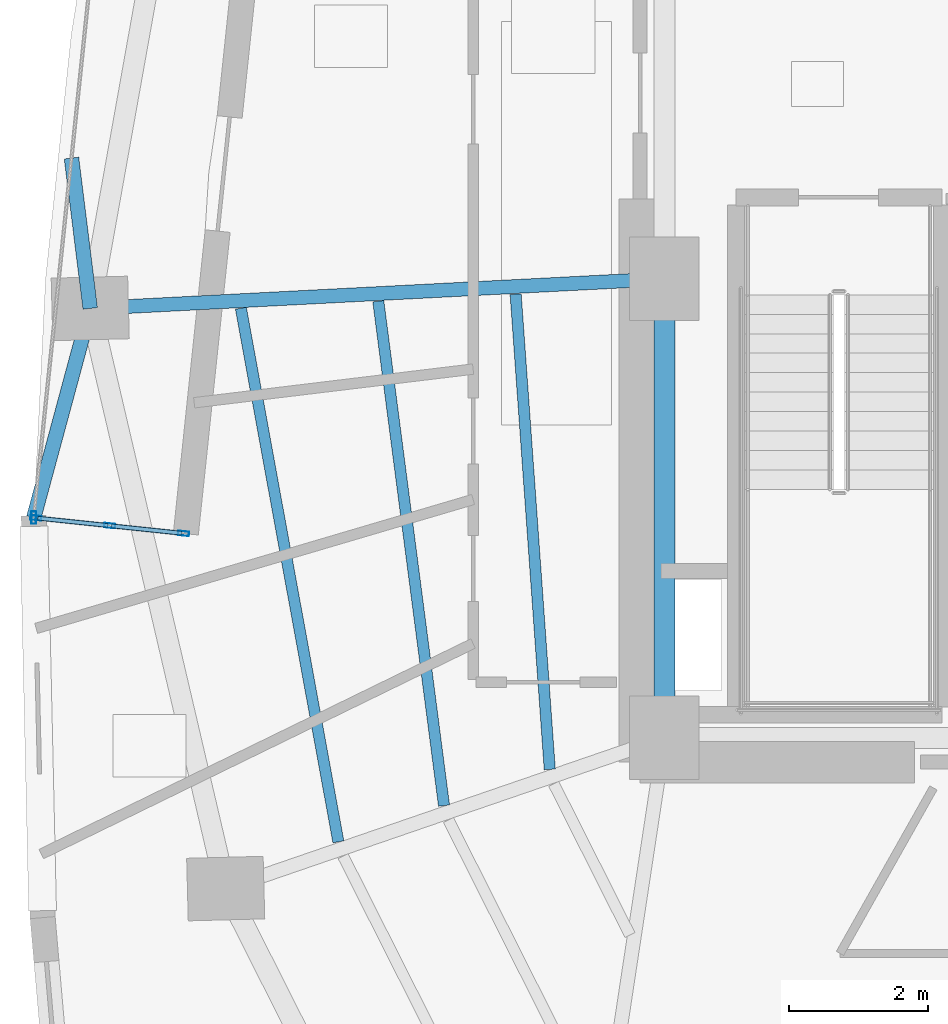
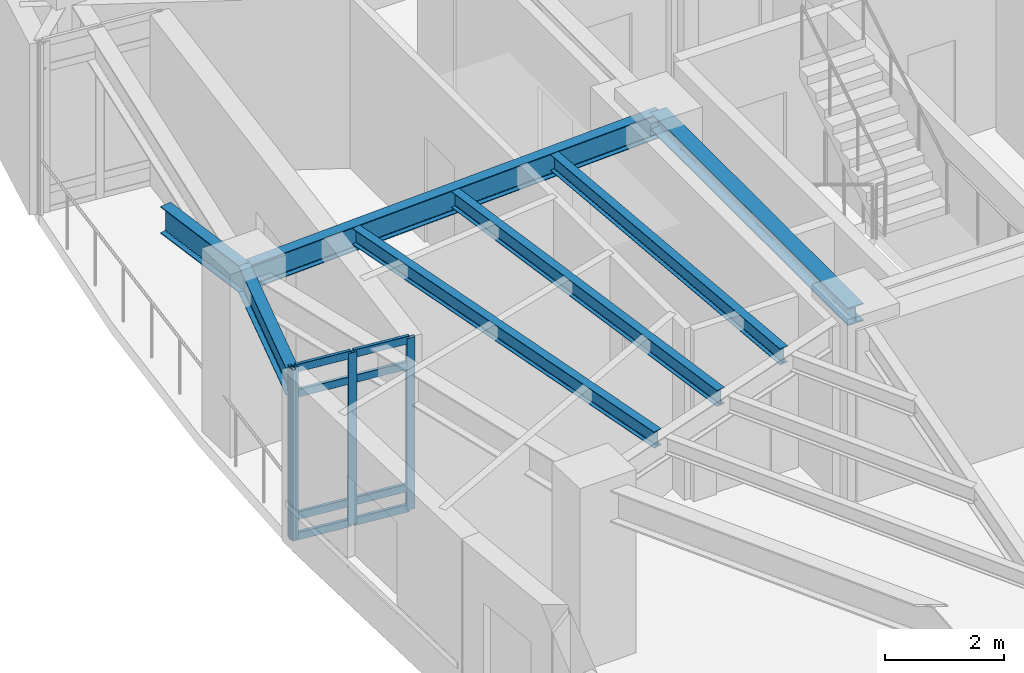
# One storey, part 2 of 12: 12 members, 7 beams, 1 element without a shape of its own.
"""IFC4 building model written with IfcOpenShell, lengths in metres."""

from ifc_helpers import new_model, si_unit, direction, frame, origin, origin_2d, place, context, subcontext, project, spatial, hollow_rectangle, i_section, extrude, material, layer, layer_set, material_profile, profile_set, type_object, element, aggregate, save


model = new_model("IFC4")

# Units and contexts
model_context = context("Model", 3, precision=1e-05, world=origin(), true_north=direction((0.0, 1.0)))
body_context = subcontext(model_context, "Body", "Model", "MODEL_VIEW")
ifc_project = project(units=[si_unit("LENGTHUNIT", "METRE"), si_unit("AREAUNIT", "SQUARE_METRE"), si_unit("VOLUMEUNIT", "CUBIC_METRE"), si_unit("PLANEANGLEUNIT", "RADIAN"), si_unit("MASSUNIT", "GRAM", prefix="KILO")], contexts=[model_context])

# Site, building, storey
site_placement = place(None, origin())
site = spatial("IfcSite", under=ifc_project, at=site_placement, CompositionType="ELEMENT")
building_placement = place(site_placement, origin())
building = spatial("IfcBuilding", under=site, at=building_placement, Name="Ndelora Gate Hotel", CompositionType="ELEMENT")
storey_placement = place(building_placement, frame((0.0, 0.0, 101.0)))
storey = spatial("IfcBuildingStorey", under=building, at=storey_placement, Name="L24", CompositionType="ELEMENT", Elevation=101.0)

# Beams
ifc_material_1 = material(Name="Steel S355", Category="steel")
ifc_material_profile_1 = material_profile(ifc_material_1, i_section(OverallWidth=0.300048828125, OverallDepth=0.360107421875, WebThickness=0.012451171875, FlangeThickness=0.0224609375, FilletRadius=0.027099609375, at=origin_2d()), Name="HEB 360")
ifc_profile_set_1 = profile_set([ifc_material_profile_1], Name="Steel S355")
beam_type_1 = type_object("IfcBeamType", Name="BM-CORE-360", PredefinedType="BEAM", material=ifc_profile_set_1)
beam_1_placement = place(storey_placement, frame((-8.0, -6.60009765625, 3.320068359375), z_axis=(0.0, 1.0, 0.0), x_axis=(-1.0, 0.0, 0.0)))
element("IfcBeam", 1, at=beam_1_placement, inside=storey, type_object=beam_type_1, Name="L24 Core Tie Girder CC1-CC8", PredefinedType="BEAM", context=body_context, shape_type="SweptSolid", body=[
    extrude(i_section(OverallWidth=0.300048828125, OverallDepth=0.360107421875, WebThickness=0.012451171875, FlangeThickness=0.0224609375, FilletRadius=0.027099609375, at=origin_2d()), origin(), (0.0, 0.0, 1.0), 6.60009765625),
])
ifc_material_profile_2 = material_profile(ifc_material_1, i_section(OverallWidth=0.159912109375, OverallDepth=0.330078125, WebThickness=0.007568359375, FlangeThickness=0.011474609375, FilletRadius=0.01806640625, at=origin_2d()), Name="IPE 330")
ifc_profile_set_2 = profile_set([ifc_material_profile_2], Name="Steel S355")
beam_type_2 = type_object("IfcBeamType", Name="BM-JST-330", PredefinedType="JOIST", material=ifc_profile_set_2)
beam_2_placement = place(storey_placement, frame((-10.138427734375, -0.220458984375, 3.3349609375), z_axis=(0.07162945927, -0.997431311201, 0.0), x_axis=(0.997431311201, 0.07162945927, 0.0)))
element("IfcBeam", 2, at=beam_2_placement, inside=storey, type_object=beam_type_2, Name="L24 Secondary Composite Floor Joist IN-3", PredefinedType="JOIST", context=body_context, shape_type="SweptSolid", body=[
    extrude(i_section(OverallWidth=0.159912109375, OverallDepth=0.330078125, WebThickness=0.007568359375, FlangeThickness=0.011474609375, FilletRadius=0.01806640625, at=origin_2d()), origin(), (0.0, 0.0, 1.0), 6.850830078125),
])
beam_3_placement = place(storey_placement, frame((-12.113525390625, -0.322021484375, 3.3349609375), z_axis=(0.12927924943, -0.991608226906, 0.0), x_axis=(0.991608226906, 0.12927924943, 0.0)))
element("IfcBeam", 3, at=beam_3_placement, inside=storey, type_object=beam_type_2, Name="L24 Secondary Composite Floor Joist MID-3", PredefinedType="JOIST", context=body_context, shape_type="SweptSolid", body=[
    extrude(i_section(OverallWidth=0.159912109375, OverallDepth=0.330078125, WebThickness=0.007568359375, FlangeThickness=0.011474609375, FilletRadius=0.01806640625, at=origin_2d()), origin(), (0.0, 0.0, 1.0), 7.31396484375),
])
beam_4_placement = place(storey_placement, frame((-14.089111328125, -0.423095703125, 3.3349609375), z_axis=(0.179733770179, -0.983715290039, 0.0), x_axis=(0.983715290039, 0.179733770179, 0.0)))
element("IfcBeam", 4, at=beam_4_placement, inside=storey, type_object=beam_type_2, Name="L24 Secondary Composite Floor Joist OUT-3", PredefinedType="JOIST", context=body_context, shape_type="SweptSolid", body=[
    extrude(i_section(OverallWidth=0.159912109375, OverallDepth=0.330078125, WebThickness=0.007568359375, FlangeThickness=0.011474609375, FilletRadius=0.01806640625, at=origin_2d()), origin(), (0.0, 0.0, 1.0), 7.799560546875),
])
ifc_material_profile_3 = material_profile(ifc_material_1, i_section(OverallWidth=0.199951171875, OverallDepth=0.5, WebThickness=0.01025390625, FlangeThickness=0.01611328125, FilletRadius=0.02099609375, at=origin_2d()), Name="IPE 500")
ifc_profile_set_3 = profile_set([ifc_material_profile_3], Name="Steel S355")
beam_type_3 = type_object("IfcBeamType", Name="BM-RAD-500", PredefinedType="BEAM", material=ifc_profile_set_3)
beam_5_placement = place(storey_placement, frame((-8.0, 0.0, 3.25), z_axis=(-0.998672591881, -0.051507807424, 0.0), x_axis=(0.051507807424, -0.998672591881, 0.0)))
element("IfcBeam", 5, at=beam_5_placement, inside=storey, type_object=beam_type_3, Name="L24 Radial Floor Girder 3", PredefinedType="BEAM", context=body_context, shape_type="SweptSolid", body=[
    extrude(i_section(OverallWidth=0.199951171875, OverallDepth=0.5, WebThickness=0.01025390625, FlangeThickness=0.01611328125, FilletRadius=0.02099609375, at=origin_2d()), origin(), (0.0, 0.0, 1.0), 8.266357421875),
])
ifc_material_profile_4 = material_profile(ifc_material_1, i_section(OverallWidth=0.2099609375, OverallDepth=0.550048828125, WebThickness=0.010986328125, FlangeThickness=0.01708984375, FilletRadius=0.02392578125, at=origin_2d()), Name="IPE 550")
ifc_profile_set_4 = profile_set([ifc_material_profile_4], Name="Steel S355")
beam_type_4 = type_object("IfcBeamType", Name="BM-RAD-550", PredefinedType="BEAM", material=ifc_profile_set_4)
beam_6_placement = place(storey_placement, frame((-16.25537109375, -0.42578125, 3.22509765625), z_axis=(-0.123565930273, 0.992336364786, 0.0), x_axis=(-0.992336364786, -0.123565930273, 0.0)))
element("IfcBeam", 6, at=beam_6_placement, inside=storey, type_object=beam_type_4, Name="L24 Sky-Garden Loggia Column Bracket 2", PredefinedType="BEAM", context=body_context, shape_type="SweptSolid", body=[
    extrude(i_section(OverallWidth=0.2099609375, OverallDepth=0.550048828125, WebThickness=0.010986328125, FlangeThickness=0.01708984375, FilletRadius=0.02392578125, at=origin_2d()), origin(), (0.0, 0.0, 1.0), 2.17919921875),
])
beam_7_placement = place(storey_placement, frame((-16.25537109375, -0.42578125, 3.22509765625), z_axis=(-0.260757109585, -0.965404438461, 0.0), x_axis=(0.965404438461, -0.260757109585, 0.0)))
element("IfcBeam", 7, at=beam_7_placement, inside=storey, type_object=beam_type_4, Name="L24 Sky-Garden Loggia Column Bracket 3", PredefinedType="BEAM", context=body_context, shape_type="SweptSolid", body=[
    extrude(i_section(OverallWidth=0.2099609375, OverallDepth=0.550048828125, WebThickness=0.010986328125, FlangeThickness=0.01708984375, FilletRadius=0.02392578125, at=origin_2d()), origin(), (0.0, 0.0, 1.0), 3.116943359375),
])

# Curtain wall, members
ifc_material_2 = material(Name="Bronze Anodised Unitised Aluminium and Low-E Glass", Category="aluminium")
ifc_layer = layer(ifc_material_2, 0.199951171875)
ifc_layer_set = layer_set([ifc_layer], Name="Bronze Anodised Unitised Aluminium and Low-E Glass")
curtain_wall_type = type_object("IfcCurtainWallType", Name="CW-SYS-3", PredefinedType="NOTDEFINED", material=ifc_layer_set)
curtain_wall_placement = place(storey_placement, origin())
curtain_wall = element("IfcCurtainWall", 8, at=curtain_wall_placement, inside=storey, type_object=curtain_wall_type, Name="L24 Sky-Garden Loggia Side Curtain Wall CW3-2", PredefinedType="NOTDEFINED")
ifc_material_3 = material(Name="Bronze Anodised Aluminium 6063-T6", Category="aluminium")
ifc_material_profile_5 = material_profile(ifc_material_3, hollow_rectangle(XDim=0.06494140625, YDim=0.159912109375, WallThickness=0.00390625, InnerFilletRadius=0.00390625, OuterFilletRadius=0.008056640625, at=origin_2d()), Name="ALU 160x65x4")
ifc_profile_set_5 = profile_set([ifc_material_profile_5], Name="Bronze Anodised Aluminium 6063-T6")
member_type_1 = type_object("IfcMemberType", Name="MB-CW-MUL150", PredefinedType="MULLION", material=ifc_profile_set_5)
member_1_placement = place(storey_placement, frame((-17.035888671875, -3.43798828125, -0.00390625), z_axis=(0.0, 0.0, 1.0), x_axis=(0.104547545416, 0.994519889569, 0.0)))
member_1 = element("IfcMember", 9, at=member_1_placement, type_object=member_type_1, Name="CW3 mullion 1", PredefinedType="MULLION", context=body_context, shape_type="SweptSolid", body=[
    extrude(hollow_rectangle(XDim=0.06494140625, YDim=0.159912109375, WallThickness=0.00390625, InnerFilletRadius=0.00390625, OuterFilletRadius=0.008056640625, at=origin_2d()), origin(), (0.0, 0.0, 1.0), 3.5078125),
])
member_2_placement = place(storey_placement, frame((-15.97412109375, -3.5498046875, -0.00390625), z_axis=(0.0, 0.0, 1.0), x_axis=(0.104547545416, 0.994519889569, 0.0)))
member_2 = element("IfcMember", 10, at=member_2_placement, type_object=member_type_1, Name="CW3 mullion 2", PredefinedType="MULLION", context=body_context, shape_type="SweptSolid", body=[
    extrude(hollow_rectangle(XDim=0.06494140625, YDim=0.159912109375, WallThickness=0.00390625, InnerFilletRadius=0.00390625, OuterFilletRadius=0.008056640625, at=origin_2d()), origin(), (0.0, 0.0, 1.0), 3.5078125),
])
member_3_placement = place(storey_placement, frame((-14.91259765625, -3.661376953125, -0.00390625), z_axis=(0.0, 0.0, 1.0), x_axis=(0.104547545416, 0.994519889569, 0.0)))
member_3 = element("IfcMember", 11, at=member_3_placement, type_object=member_type_1, Name="CW3 mullion 3", PredefinedType="MULLION", context=body_context, shape_type="SweptSolid", body=[
    extrude(hollow_rectangle(XDim=0.06494140625, YDim=0.159912109375, WallThickness=0.00390625, InnerFilletRadius=0.00390625, OuterFilletRadius=0.008056640625, at=origin_2d()), origin(), (0.0, 0.0, 1.0), 3.5078125),
])
ifc_material_profile_6 = material_profile(ifc_material_3, hollow_rectangle(XDim=0.070068359375, YDim=0.179931640625, WallThickness=0.0048828125, InnerFilletRadius=0.0048828125, OuterFilletRadius=0.010009765625, at=origin_2d()), Name="ALU 180x70x5")
ifc_profile_set_6 = profile_set([ifc_material_profile_6], Name="Bronze Anodised Aluminium 6063-T6")
member_type_2 = type_object("IfcMemberType", Name="MB-CW-MUL180", PredefinedType="MULLION", material=ifc_profile_set_6)
member_4_placement = place(storey_placement, frame((-17.068115234375, -3.434814453125, 0.0), z_axis=(0.0, 0.0, 1.0), x_axis=(1.0, 0.0, 0.0)))
member_4 = element("IfcMember", 12, at=member_4_placement, type_object=member_type_2, Name="L24 Sky-Garden Loggia Corner Mullion Post 2", PredefinedType="MULLION", context=body_context, shape_type="SweptSolid", body=[
    extrude(hollow_rectangle(XDim=0.070068359375, YDim=0.179931640625, WallThickness=0.0048828125, InnerFilletRadius=0.0048828125, OuterFilletRadius=0.010009765625, at=origin_2d()), origin(), (0.0, 0.0, 1.0), 3.5),
])
ifc_material_profile_7 = material_profile(ifc_material_3, hollow_rectangle(XDim=0.06494140625, YDim=0.159912109375, WallThickness=0.00390625, InnerFilletRadius=0.00390625, OuterFilletRadius=0.008056640625, at=origin_2d()), Name="ALU 160x65x4")
ifc_profile_set_7 = profile_set([ifc_material_profile_7], Name="Bronze Anodised Aluminium 6063-T6")
member_type_3 = type_object("IfcMemberType", Name="MB-CW-TRN150", PredefinedType="USERDEFINED", material=ifc_profile_set_7)
member_5_placement = place(storey_placement, frame((-17.009521484375, -3.44091796875, 0.032470703125), z_axis=(0.994531791991, -0.104434260277, 0.0), x_axis=(0.104434260277, 0.994531791991, 0.0)))
member_5 = element("IfcMember", 13, at=member_5_placement, type_object=member_type_3, Name="CW3 transom 1.1", ObjectType="TRANSOM", PredefinedType="USERDEFINED", context=body_context, shape_type="SweptSolid", body=[
    extrude(hollow_rectangle(XDim=0.06494140625, YDim=0.159912109375, WallThickness=0.00390625, InnerFilletRadius=0.00390625, OuterFilletRadius=0.008056640625, at=origin_2d()), origin(), (0.0, 0.0, 1.0), 1.0146484375),
])
member_6_placement = place(storey_placement, frame((-17.009521484375, -3.44091796875, 0.449951171875), z_axis=(0.994531791991, -0.104434260277, 0.0), x_axis=(0.104434260277, 0.994531791991, 0.0)))
member_6 = element("IfcMember", 14, at=member_6_placement, type_object=member_type_3, Name="CW3 transom 1.2", ObjectType="TRANSOM", PredefinedType="USERDEFINED", context=body_context, shape_type="SweptSolid", body=[
    extrude(hollow_rectangle(XDim=0.06494140625, YDim=0.159912109375, WallThickness=0.00390625, InnerFilletRadius=0.00390625, OuterFilletRadius=0.008056640625, at=origin_2d()), origin(), (0.0, 0.0, 1.0), 1.0146484375),
])
member_7_placement = place(storey_placement, frame((-17.009521484375, -3.44091796875, 2.949951171875), z_axis=(0.994531791991, -0.104434260277, 0.0), x_axis=(0.104434260277, 0.994531791991, 0.0)))
member_7 = element("IfcMember", 15, at=member_7_placement, type_object=member_type_3, Name="CW3 transom 1.3", ObjectType="TRANSOM", PredefinedType="USERDEFINED", context=body_context, shape_type="SweptSolid", body=[
    extrude(hollow_rectangle(XDim=0.06494140625, YDim=0.159912109375, WallThickness=0.00390625, InnerFilletRadius=0.00390625, OuterFilletRadius=0.008056640625, at=origin_2d()), origin(), (0.0, 0.0, 1.0), 1.0146484375),
])
member_8_placement = place(storey_placement, frame((-17.009521484375, -3.44091796875, 3.467529296875), z_axis=(0.994531791991, -0.104434260277, 0.0), x_axis=(0.104434260277, 0.994531791991, 0.0)))
member_8 = element("IfcMember", 16, at=member_8_placement, type_object=member_type_3, Name="CW3 transom 1.4", ObjectType="TRANSOM", PredefinedType="USERDEFINED", context=body_context, shape_type="SweptSolid", body=[
    extrude(hollow_rectangle(XDim=0.06494140625, YDim=0.159912109375, WallThickness=0.00390625, InnerFilletRadius=0.00390625, OuterFilletRadius=0.008056640625, at=origin_2d()), origin(), (0.0, 0.0, 1.0), 1.0146484375),
])
member_9_placement = place(storey_placement, frame((-15.94775390625, -3.552490234375, 0.032470703125), z_axis=(0.994529166593, -0.104459259027, 0.0), x_axis=(0.104459259027, 0.994529166593, 0.0)))
member_9 = element("IfcMember", 17, at=member_9_placement, type_object=member_type_3, Name="CW3 transom 2.1", ObjectType="TRANSOM", PredefinedType="USERDEFINED", context=body_context, shape_type="SweptSolid", body=[
    extrude(hollow_rectangle(XDim=0.06494140625, YDim=0.159912109375, WallThickness=0.00390625, InnerFilletRadius=0.00390625, OuterFilletRadius=0.008056640625, at=origin_2d()), origin(), (0.0, 0.0, 1.0), 1.014404296875),
])
member_10_placement = place(storey_placement, frame((-15.94775390625, -3.552490234375, 0.449951171875), z_axis=(0.994529166593, -0.104459259027, 0.0), x_axis=(0.104459259027, 0.994529166593, 0.0)))
member_10 = element("IfcMember", 18, at=member_10_placement, type_object=member_type_3, Name="CW3 transom 2.2", ObjectType="TRANSOM", PredefinedType="USERDEFINED", context=body_context, shape_type="SweptSolid", body=[
    extrude(hollow_rectangle(XDim=0.06494140625, YDim=0.159912109375, WallThickness=0.00390625, InnerFilletRadius=0.00390625, OuterFilletRadius=0.008056640625, at=origin_2d()), origin(), (0.0, 0.0, 1.0), 1.014404296875),
])
member_11_placement = place(storey_placement, frame((-15.94775390625, -3.552490234375, 2.949951171875), z_axis=(0.994529166593, -0.104459259027, 0.0), x_axis=(0.104459259027, 0.994529166593, 0.0)))
member_11 = element("IfcMember", 19, at=member_11_placement, type_object=member_type_3, Name="CW3 transom 2.3", ObjectType="TRANSOM", PredefinedType="USERDEFINED", context=body_context, shape_type="SweptSolid", body=[
    extrude(hollow_rectangle(XDim=0.06494140625, YDim=0.159912109375, WallThickness=0.00390625, InnerFilletRadius=0.00390625, OuterFilletRadius=0.008056640625, at=origin_2d()), origin(), (0.0, 0.0, 1.0), 1.014404296875),
])
member_12_placement = place(storey_placement, frame((-15.94775390625, -3.552490234375, 3.467529296875), z_axis=(0.994529166593, -0.104459259027, 0.0), x_axis=(0.104459259027, 0.994529166593, 0.0)))
member_12 = element("IfcMember", 20, at=member_12_placement, type_object=member_type_3, Name="CW3 transom 2.4", ObjectType="TRANSOM", PredefinedType="USERDEFINED", context=body_context, shape_type="SweptSolid", body=[
    extrude(hollow_rectangle(XDim=0.06494140625, YDim=0.159912109375, WallThickness=0.00390625, InnerFilletRadius=0.00390625, OuterFilletRadius=0.008056640625, at=origin_2d()), origin(), (0.0, 0.0, 1.0), 1.014404296875),
])
aggregate(curtain_wall, [member_1, member_2, member_3, member_5, member_6, member_7, member_8, member_9, member_10, member_11, member_12, member_4])

save(model, "model.ifc")
